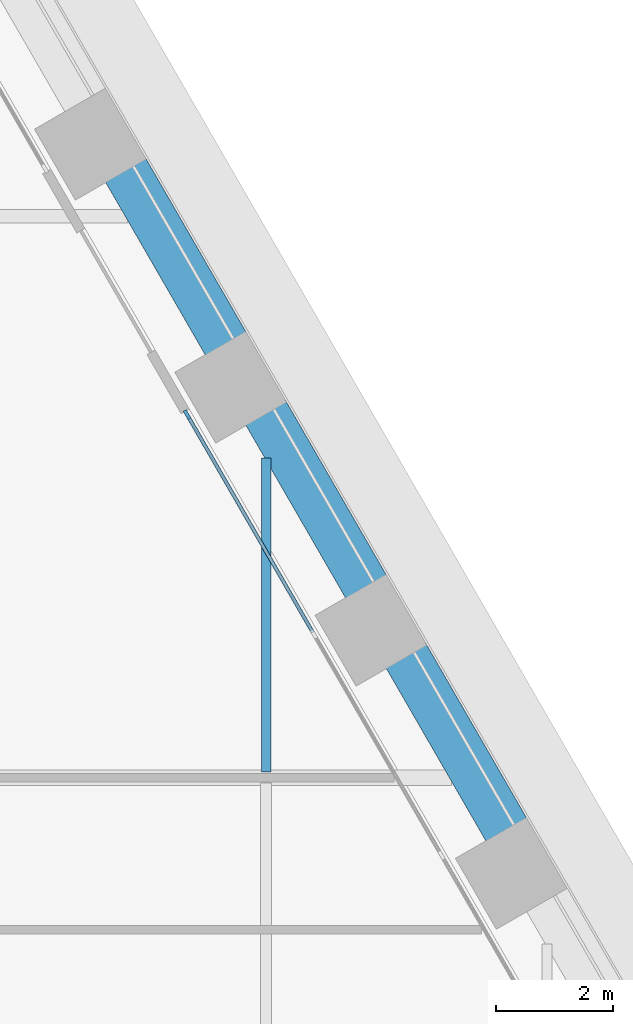
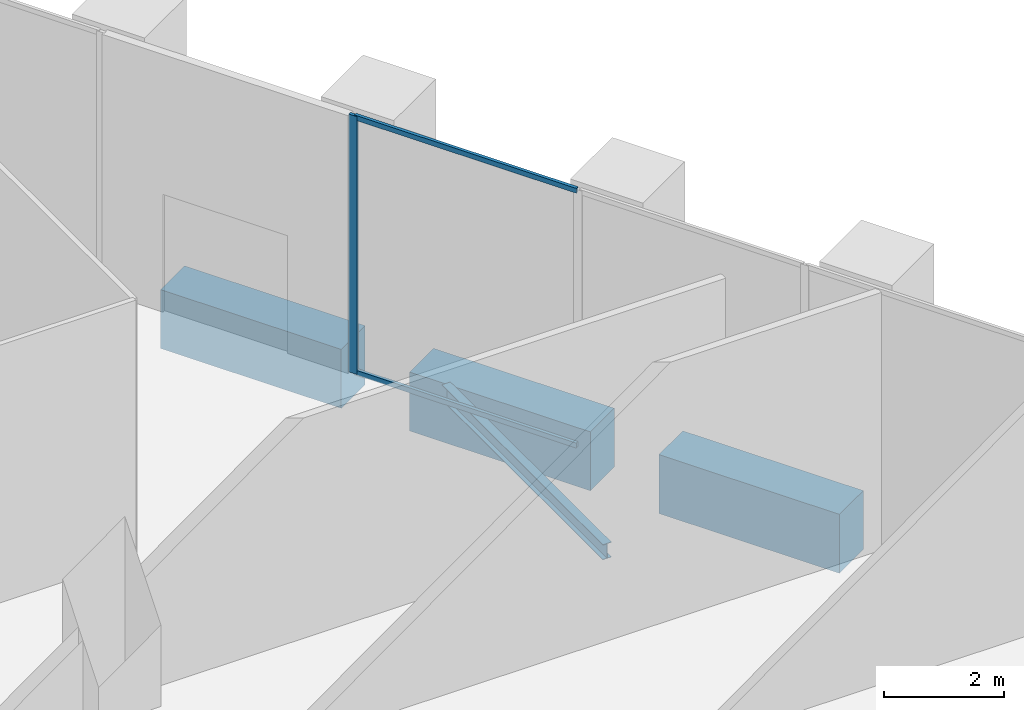
# One storey, part 12 of 27: 4 beams, 3 members, 1 element without a shape of its own.
"""IFC4 building model written with IfcOpenShell, lengths in metres."""

from ifc_helpers import new_model, si_unit, direction, frame, origin, origin_2d, place, context, subcontext, project, spatial, rectangle, i_section, extrude, material, material_profile, profile_set, type_object, element, aggregate, save


model = new_model("IFC4")

# Units and contexts
model_context = context("Model", 3, precision=1e-05, world=origin(), true_north=direction((0.0, 1.0)))
body_context = subcontext(model_context, "Body", "Model", "MODEL_VIEW")
ifc_project = project(units=[si_unit("LENGTHUNIT", "METRE"), si_unit("AREAUNIT", "SQUARE_METRE"), si_unit("VOLUMEUNIT", "CUBIC_METRE"), si_unit("PLANEANGLEUNIT", "RADIAN"), si_unit("MASSUNIT", "GRAM", prefix="KILO")], contexts=[model_context])

# Site, building, storey
site_placement = place(None, origin())
site = spatial("IfcSite", under=ifc_project, at=site_placement, CompositionType="ELEMENT")
building_placement = place(site_placement, origin())
building = spatial("IfcBuilding", under=site, at=building_placement, Name="Kolab Exchange Tower", CompositionType="ELEMENT")
storey_placement = place(building_placement, frame((0.0, 0.0, 22.39990234375)))
storey = spatial("IfcBuildingStorey", under=building, at=storey_placement, Name="L04", CompositionType="ELEMENT", Elevation=22.39990234375)

# Beams
ifc_material_1 = material(Name="Steel S355", Category="steel")
ifc_material_profile_1 = material_profile(ifc_material_1, i_section(OverallWidth=0.1650390625, OverallDepth=0.31005859375, WebThickness=0.005859375, FlangeThickness=0.009765625, at=origin_2d()), Name="W310X39")
ifc_profile_set_1 = profile_set([ifc_material_profile_1], Name="Steel S355")
beam_type_1 = type_object("IfcBeamType", Name="FLOOR BEAM W310X39", PredefinedType="BEAM", material=ifc_profile_set_1)
beam_1_placement = place(storey_placement, frame((28.800048828125, 9.693603515625, -0.40478515625), z_axis=(0.0, 1.0, 0.0), x_axis=(-1.0, 0.0, 0.0)))
element("IfcBeam", 1, at=beam_1_placement, inside=storey, type_object=beam_type_1, Name="beam/L04/fr/061", PredefinedType="BEAM", context=body_context, shape_type="SweptSolid", body=[
    extrude(i_section(OverallWidth=0.1650390625, OverallDepth=0.31005859375, WebThickness=0.005859375, FlangeThickness=0.009765625, at=origin_2d()), origin(), (0.0, 0.0, 1.0), 5.3740234375),
])
ifc_material_2 = material(Name="Concrete C80/95", Category="concrete")
ifc_material_profile_2 = material_profile(ifc_material_2, rectangle(XDim=0.800048828125, YDim=1.199951171875, at=origin_2d()), Name="RC800X1200")
ifc_profile_set_2 = profile_set([ifc_material_profile_2], Name="Concrete C80/95")
beam_type_2 = type_object("IfcBeamType", Name="SPANDREL BEAM 800X1200 C80/95", PredefinedType="BEAM", material=ifc_profile_set_2)
beam_2_placement = place(storey_placement, frame((26.383544921875, 20.012939453125, -0.849853515625), z_axis=(0.500009906705, -0.86601968407, 0.0), x_axis=(0.86601968407, 0.500009906705, 0.0)))
element("IfcBeam", 2, at=beam_2_placement, inside=storey, type_object=beam_type_2, Name="beam/L04/sp/F2-04", PredefinedType="BEAM", context=body_context, shape_type="SweptSolid", body=[
    extrude(rectangle(XDim=0.800048828125, YDim=1.199951171875, at=origin_2d()), origin(), (0.0, 0.0, 1.0), 3.47998046875),
])
for number, where, z_axis, x_axis, name in (
    (3, (28.78369140625, 15.856201171875, -0.849853515625), (0.499979528911, -0.866037222451, 0.0), (0.866037222451, 0.499979528911, 0.0), "beam/L04/sp/F2-05"),
    (4, (31.18359375, 11.69921875, -0.849853515625), (0.499979528911, -0.866037222451, 0.0), (0.866037222451, 0.499979528911, 0.0), "beam/L04/sp/F2-06"),
):
    element("IfcBeam", number, at=place(storey_placement, frame(where, z_axis=z_axis, x_axis=x_axis)), inside=storey, type_object=beam_type_2, Name=name, PredefinedType="BEAM", context=body_context, shape_type="SweptSolid", body=[
        extrude(rectangle(XDim=0.800048828125, YDim=1.199951171875, at=origin_2d()), origin(), (0.0, 0.0, 1.0), 3.480224609375),
    ])

# Curtain wall, members
ifc_material_3 = material(Name="Aluminium EN AW-6063 T6", Category="aluminium")
curtain_wall_type = type_object("IfcCurtainWallType", Name="UNITISED LOW ZONE CURTAIN WALL", PredefinedType="NOTDEFINED", material=ifc_material_3)
curtain_wall_placement = place(storey_placement, origin())
curtain_wall = element("IfcCurtainWall", 5, at=curtain_wall_placement, inside=storey, type_object=curtain_wall_type, Name="cw/L04/F2-2", PredefinedType="NOTDEFINED")
ifc_material_profile_3 = material_profile(ifc_material_3, rectangle(XDim=0.06005859375, YDim=0.159912109375, at=origin_2d()), Name="RECT 60X160")
ifc_profile_set_3 = profile_set([ifc_material_profile_3], Name="Aluminium EN AW-6063 T6")
member_type_1 = type_object("IfcMemberType", Name="UNITISED LOW ZONE MULLION 60 X 160", PredefinedType="MULLION", material=ifc_profile_set_3)
member_1_placement = place(storey_placement, frame((27.44677734375, 15.811767578125, 0.0), z_axis=(0.0, 0.0, 1.0), x_axis=(0.866025422102, 0.499999968274, 0.0)))
member_1 = element("IfcMember", 6, at=member_1_placement, type_object=member_type_1, Name="CW1 mullion 1", PredefinedType="MULLION", context=body_context, shape_type="SweptSolid", body=[
    extrude(rectangle(XDim=0.06005859375, YDim=0.159912109375, at=origin_2d()), origin(), (0.0, 0.0, 1.0), 5.25),
])
ifc_material_profile_4 = material_profile(ifc_material_3, rectangle(XDim=0.06005859375, YDim=0.10009765625, at=origin_2d()), Name="RECT 60X100")
ifc_profile_set_4 = profile_set([ifc_material_profile_4], Name="Aluminium EN AW-6063 T6")
member_type_2 = type_object("IfcMemberType", Name="UNITISED LOW ZONE TRANSOM 60 X 100", PredefinedType="USERDEFINED", material=ifc_profile_set_4)
member_2_placement = place(storey_placement, frame((27.461669921875, 15.78564453125, 0.030029296875), z_axis=(0.500000816281, -0.866024932504, 0.0), x_axis=(0.866024932504, 0.500000816281, 0.0)))
member_2 = element("IfcMember", 7, at=member_2_placement, type_object=member_type_2, Name="CW1 transom 1.1", ObjectType="TRANSOM", PredefinedType="USERDEFINED", context=body_context, shape_type="SweptSolid", body=[
    extrude(rectangle(XDim=0.06005859375, YDim=0.10009765625, at=origin_2d()), origin(), (0.0, 0.0, 1.0), 4.27685546875),
])
member_3_placement = place(storey_placement, frame((27.461669921875, 15.78564453125, 5.22021484375), z_axis=(0.500000816281, -0.866024932504, 0.0), x_axis=(0.866024932504, 0.500000816281, 0.0)))
member_3 = element("IfcMember", 8, at=member_3_placement, type_object=member_type_2, Name="CW1 transom 1.2", ObjectType="TRANSOM", PredefinedType="USERDEFINED", context=body_context, shape_type="SweptSolid", body=[
    extrude(rectangle(XDim=0.06005859375, YDim=0.10009765625, at=origin_2d()), origin(), (0.0, 0.0, 1.0), 4.27685546875),
])
aggregate(curtain_wall, [member_1, member_2, member_3])

save(model, "model.ifc")
